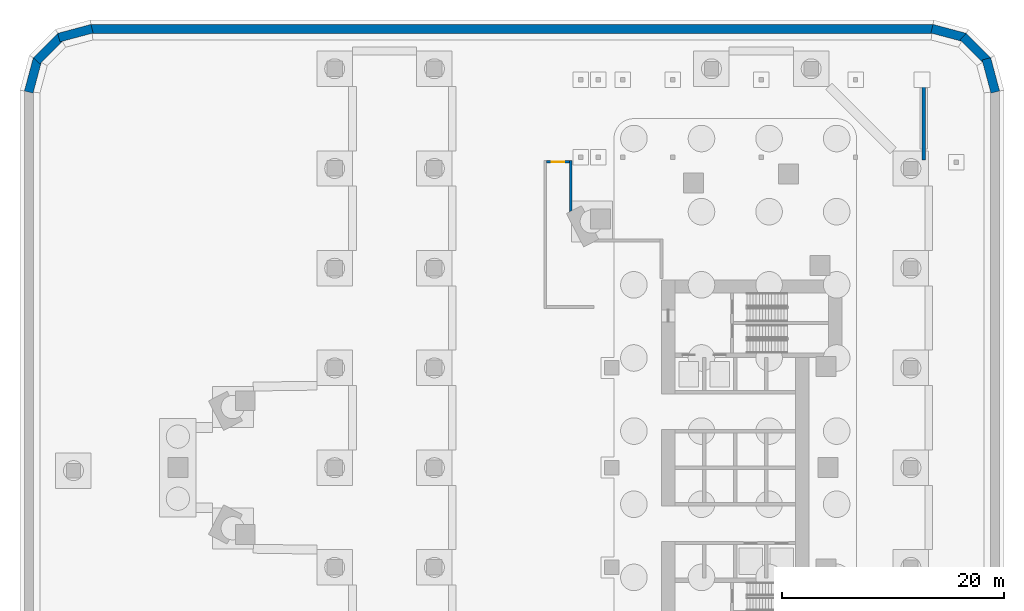
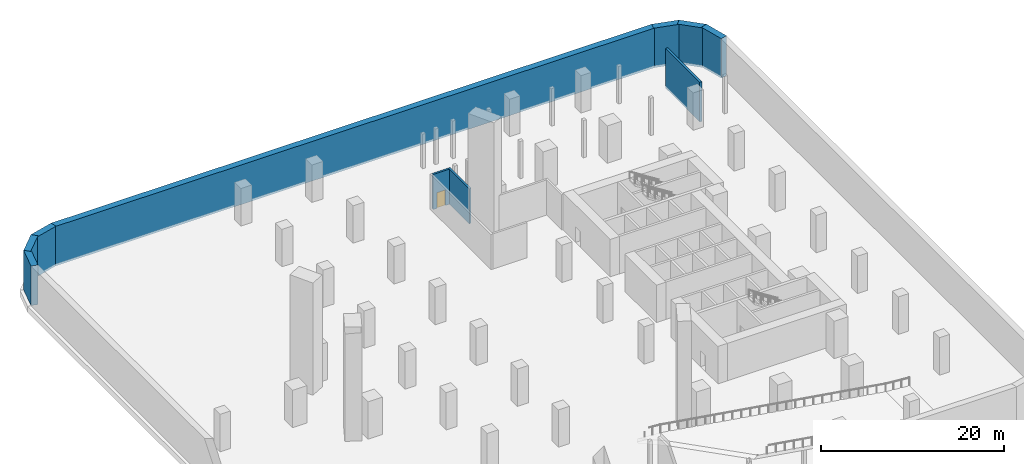
# One storey, part 7 of 11: 10 walls, 1 door, 1 opening.
"""IFC4 building model written with IfcOpenShell, lengths in metres."""

from ifc_helpers import new_model, si_unit, direction, frame, frame_2d, origin, place, context, subcontext, project, spatial, polyline, rectangle, outline, extrude, material, layer, layer_set, type_object, element, fill, save


model = new_model("IFC4")

# Units and contexts
model_context = context("Model", 3, precision=1e-05, world=origin(), true_north=direction((0.0, 1.0)))
body_context = subcontext(model_context, "Body", "Model", "MODEL_VIEW")
ifc_project = project(units=[si_unit("LENGTHUNIT", "METRE"), si_unit("AREAUNIT", "SQUARE_METRE"), si_unit("VOLUMEUNIT", "CUBIC_METRE"), si_unit("PLANEANGLEUNIT", "RADIAN"), si_unit("MASSUNIT", "GRAM", prefix="KILO")], contexts=[model_context])

# Site, building, storey
site_placement = place(None, origin())
site = spatial("IfcSite", under=ifc_project, at=site_placement, CompositionType="ELEMENT")
building_placement = place(site_placement, origin())
building = spatial("IfcBuilding", under=site, at=building_placement, Name="Ostrand Prow Hotel Tower", CompositionType="ELEMENT")
storey_placement = place(building_placement, frame((0.0, 0.0, -10.0)))
storey = spatial("IfcBuildingStorey", under=building, at=storey_placement, Name="B2", CompositionType="ELEMENT", Elevation=-10.0)

# Walls
ifc_material_1 = material(Name="Concrete C40/50", Category="concrete")
ifc_layer_1 = layer(ifc_material_1, 0.300048828125)
ifc_layer_set_1 = layer_set([ifc_layer_1], Name="Concrete C40/50")
wall_type_1 = type_object("IfcWallType", Name="Ramp support wall 300 C40/50", PredefinedType="SOLIDWALL", material=ifc_layer_set_1)
wall_1_placement = place(storey_placement, frame((73.14990234375, 27.75, -0.300048828125), z_axis=(0.0, 0.0, 1.0), x_axis=(0.0, 1.0, 0.0)))
element("IfcWall", 1, at=wall_1_placement, inside=storey, type_object=wall_type_1, Name="Ramp support wall", PredefinedType="SOLIDWALL", context=body_context, shape_type="SweptSolid", body=[
    extrude(rectangle(XDim=7.5, YDim=0.300048828125, at=frame_2d((3.75, 0.0))), origin(), (0.0, 0.0, 1.0), 5.300048828125),
])
ifc_material_2 = material(Name="Concrete C40/50", Category="concrete")
ifc_layer_2 = layer(ifc_material_2, 0.800048828125)
ifc_layer_set_2 = layer_set([ifc_layer_2], Name="Concrete C40/50")
wall_type_2 = type_object("IfcWallType", Name="Retaining wall 800 C40/50", PredefinedType="STANDARD", material=ifc_layer_set_2)
for number, where, z_axis, x_axis, name in (
    (2, (79.613525390625, 33.896484375, -0.300048828125), (0.0, 0.0, 1.0), (-0.258777996848, 0.965936824201, 0.0), "Retaining wall B2-05"),
    (3, (78.913330078125, 36.71728515625, -0.300048828125), (0.0, 0.0, 1.0), (-0.707106781187, 0.707106781187, 0.0), "Retaining wall B2-06"),
    (4, (76.896484375, 38.809814453125, -0.300048828125), (0.0, 0.0, 1.0), (-0.965936824201, 0.258777996848, 0.0), "Retaining wall B2-07"),
):
    element("IfcWall", number, at=place(storey_placement, frame(where, z_axis=z_axis, x_axis=x_axis)), inside=storey, type_object=wall_type_2, Name=name, PredefinedType="STANDARD", context=body_context, shape_type="SweptSolid", body=[
        extrude(rectangle(XDim=3.105712890625, YDim=0.800048828125, at=frame_2d((1.552734375, 0.0))), origin(), (0.0, 0.0, 1.0), 5.300048828125),
    ])
wall_2_placement = place(storey_placement, frame((74.0, 39.60009765625, -0.300048828125), z_axis=(0.0, 0.0, 1.0), x_axis=(-1.0, 0.0, 0.0)))
element("IfcWall", 5, at=wall_2_placement, inside=storey, type_object=wall_type_2, Name="Retaining wall B2-08", PredefinedType="STANDARD", context=body_context, shape_type="SweptSolid", body=[
    extrude(rectangle(XDim=76.0, YDim=0.800048828125, at=frame_2d((38.0, 0.0))), origin(), (0.0, 0.0, 1.0), 5.300048828125),
])
for number, where, z_axis, x_axis, name in (
    (6, (-1.896484375, 39.613525390625, -0.300048828125), (0.0, 0.0, 1.0), (-0.965936824201, -0.258777996848, 0.0), "Retaining wall B2-09"),
    (7, (-4.71728515625, 38.913330078125, -0.300048828125), (0.0, 0.0, 1.0), (-0.707106781187, -0.707106781187, 0.0), "Retaining wall B2-10"),
    (8, (-6.809814453125, 36.896484375, -0.300048828125), (0.0, 0.0, 1.0), (-0.258777996848, -0.965936824201, 0.0), "Retaining wall B2-11"),
):
    element("IfcWall", number, at=place(storey_placement, frame(where, z_axis=z_axis, x_axis=x_axis)), inside=storey, type_object=wall_type_2, Name=name, PredefinedType="STANDARD", context=body_context, shape_type="SweptSolid", body=[
        extrude(rectangle(XDim=3.105712890625, YDim=0.800048828125, at=frame_2d((1.552734375, 0.0))), origin(), (0.0, 0.0, 1.0), 5.300048828125),
    ])

# Wall, opening, door
ifc_material_3 = material(Name="Concrete block wall", Category="concrete")
ifc_layer_3 = layer(ifc_material_3, 0.25)
ifc_layer_set_3 = layer_set([ifc_layer_3], Name="Concrete block wall")
wall_type_3 = type_object("IfcWallType", Name="Service fire wall 250 masonry", PredefinedType="PARTITIONING", material=ifc_layer_set_3)
wall_3_placement = place(storey_placement, frame((39.125, 27.60009765625, 0.0), z_axis=(0.0, 0.0, 1.0), x_axis=(1.0, 0.0, 0.0)))
wall_3 = element("IfcWall", 9, at=wall_3_placement, inside=storey, type_object=wall_type_3, Name="STAIR ACCESS WALL", PredefinedType="PARTITIONING", context=body_context, shape_type="SweptSolid", body=[
    extrude(rectangle(XDim=2.050048828125, YDim=0.25, at=frame_2d((1.02490234375, 0.0))), origin(), (0.0, 0.0, 1.0), 4.699951171875),
])
opening_placement = place(wall_3_placement, frame((0.47509765625, 0.0, 0.0)))
opening = element("IfcOpeningElement", 10, at=opening_placement, cuts=wall_3, Name="Opening FD1", PredefinedType="OPENING", context=body_context, shape_type="SweptSolid", body=[
    extrude(rectangle(XDim=1.10009765625, YDim=2.10009765625, at=frame_2d((0.550048828125, 1.050048828125))), frame((0.0, 0.135009765625, 0.0), z_axis=(0.0, -1.0, 0.0), x_axis=(1.0, 0.0, 0.0)), (0.0, 0.0, 1.0), 0.27001953125),
])
ifc_material_4 = material(Name="Steel fire door", Category="steel")
door_type = type_object("IfcDoorType", Name="Fire door 1100 EI120", OperationType="SINGLE_SWING_RIGHT", PredefinedType="DOOR", material=ifc_material_4)
door_placement = place(opening_placement, origin())
door = element("IfcDoor", 11, at=door_placement, inside=storey, type_object=door_type, Name="FIRE DOOR FD1", OperationType="SINGLE_SWING_RIGHT", OverallHeight=2.10009765625, OverallWidth=1.10009765625, PredefinedType="DOOR", context=body_context, shape_type="SweptSolid", body=[
    extrude(rectangle(XDim=1.10009765625, YDim=2.10009765625, at=frame_2d((0.550048828125, 1.050048828125))), frame((0.0, 0.02490234375, 0.0), z_axis=(0.0, -1.0, 0.0), x_axis=(1.0, 0.0, 0.0)), (0.0, 0.0, 1.0), 0.050048828125),
])
fill(opening, door)

# Wall
wall_4_placement = place(storey_placement, frame((41.300048828125, 23.141357421875, 0.0), z_axis=(0.0, 0.0, 1.0), x_axis=(0.0, 1.0, 0.0)))
element("IfcWall", 12, at=wall_4_placement, inside=storey, type_object=wall_type_3, Name="STAIR ACCESS WALL", PredefinedType="PARTITIONING", context=body_context, shape_type="SweptSolid", body=[
    extrude(outline(polyline([(0.064697265625, -0.125), (4.583740234375, -0.125), (4.583740234375, 0.125), (-0.064697265625, 0.125), (0.064697265625, -0.125)])), origin(), (0.0, 0.0, 1.0), 4.699951171875),
])

save(model, "model.ifc")
